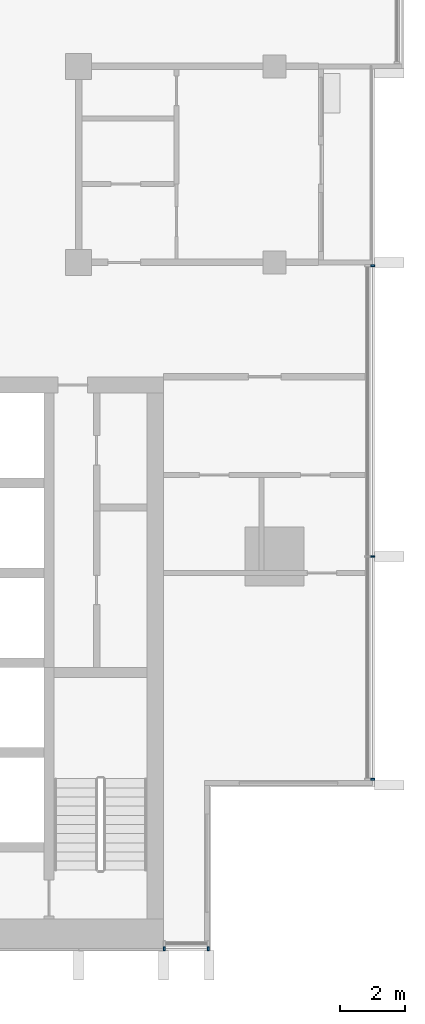
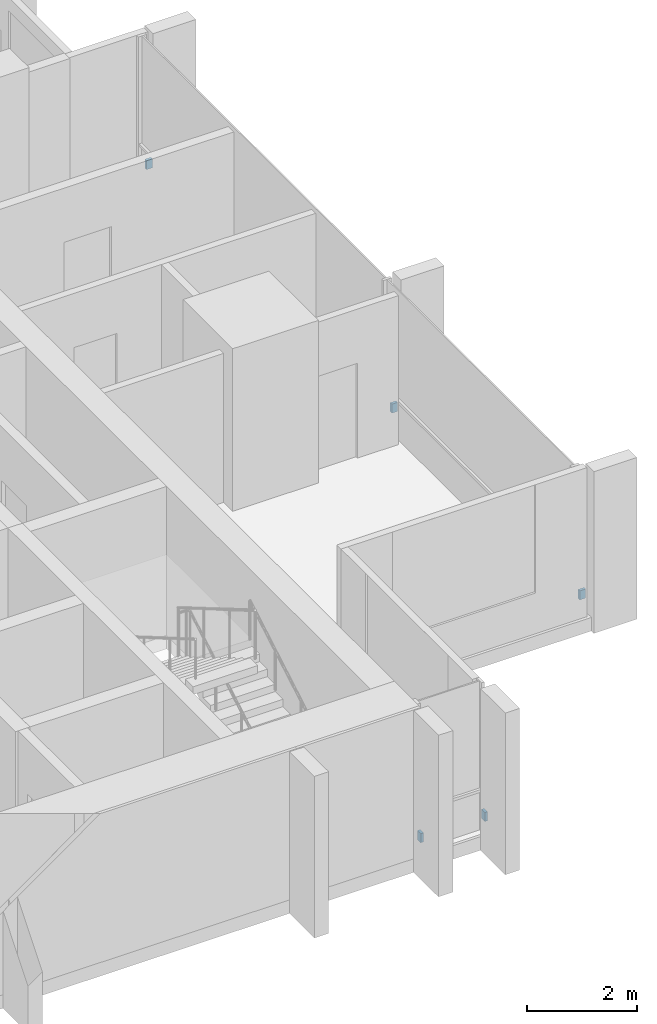
# One storey, part 12 of 15: 5 discrete accessories.
"""IFC4 building model written with IfcOpenShell, lengths in metres."""

from ifc_helpers import new_model, si_unit, direction, frame, origin, origin_2d, place, context, subcontext, project, spatial, rectangle, extrude, material, type_object, element, save


model = new_model("IFC4")

# Units and contexts
model_context = context("Model", 3, precision=1e-05, world=origin(), true_north=direction((0.0, 1.0)))
body_context = subcontext(model_context, "Body", "Model", "MODEL_VIEW")
ifc_project = project(units=[si_unit("LENGTHUNIT", "METRE"), si_unit("AREAUNIT", "SQUARE_METRE"), si_unit("VOLUMEUNIT", "CUBIC_METRE"), si_unit("PLANEANGLEUNIT", "RADIAN"), si_unit("MASSUNIT", "GRAM", prefix="KILO")], contexts=[model_context])

# Site, building, storey
site_placement = place(None, origin())
site = spatial("IfcSite", under=ifc_project, at=site_placement, CompositionType="ELEMENT")
building_placement = place(site_placement, origin())
building = spatial("IfcBuilding", under=site, at=building_placement, Name="Finial Court Residences", CompositionType="ELEMENT")
storey_placement = place(building_placement, frame((0.0, 0.0, 269.89990234375)))
storey = spatial("IfcBuildingStorey", under=building, at=storey_placement, Name="L68", CompositionType="ELEMENT", Elevation=269.89990234375)

# Discrete accessories
ifc_material = material(Name="Stainless steel 316", Category="steel")
discrete_accessory_type = type_object("IfcDiscreteAccessoryType", Name="Fin bracket, stainless steel 60 x 122 x 200", PredefinedType="BRACKET", material=ifc_material)
for number, where, z_axis, x_axis, name in (
    (1, (19.498779296875, -20.320068359375, 0.30029296875), (0.0, 0.0, 1.0), (1.0, 0.0, 0.0), "E-L68-FIN-E7-BRK"),
    (2, (19.498779296875, -13.5, 0.30029296875), (0.0, 0.0, 1.0), (1.0, 0.0, 0.0), "E-L68-FIN-E8-BRK"),
    (3, (19.498779296875, -4.60498046875, 0.30029296875), (0.0, 0.0, 1.0), (1.0, 0.0, 0.0), "E-L68-FIN-E9-BRK"),
):
    element("IfcDiscreteAccessory", number, at=place(storey_placement, frame(where, z_axis=z_axis, x_axis=x_axis)), inside=storey, type_object=discrete_accessory_type, Name=name, PredefinedType="BRACKET", context=body_context, shape_type="SweptSolid", body=[
        extrude(rectangle(XDim=0.12255859375, YDim=0.06005859375, at=origin_2d()), origin(), (0.0, 0.0, 1.0), 0.199951171875),
    ])
for number, where, z_axis, x_axis, name in (
    (4, (13.1298828125, -25.498779296875, 0.30029296875), (0.0, 0.0, 1.0), (1.0, 0.0, 0.0), "E-L68-FIN-S19-BRK"),
    (5, (14.469970703125, -25.498779296875, 0.30029296875), (0.0, 0.0, 1.0), (1.0, 0.0, 0.0), "E-L68-FIN-S20-BRK"),
):
    element("IfcDiscreteAccessory", number, at=place(storey_placement, frame(where, z_axis=z_axis, x_axis=x_axis)), inside=storey, type_object=discrete_accessory_type, Name=name, PredefinedType="BRACKET", context=body_context, shape_type="SweptSolid", body=[
        extrude(rectangle(XDim=0.06005859375, YDim=0.12255859375, at=origin_2d()), origin(), (0.0, 0.0, 1.0), 0.199951171875),
    ])

save(model, "model.ifc")
